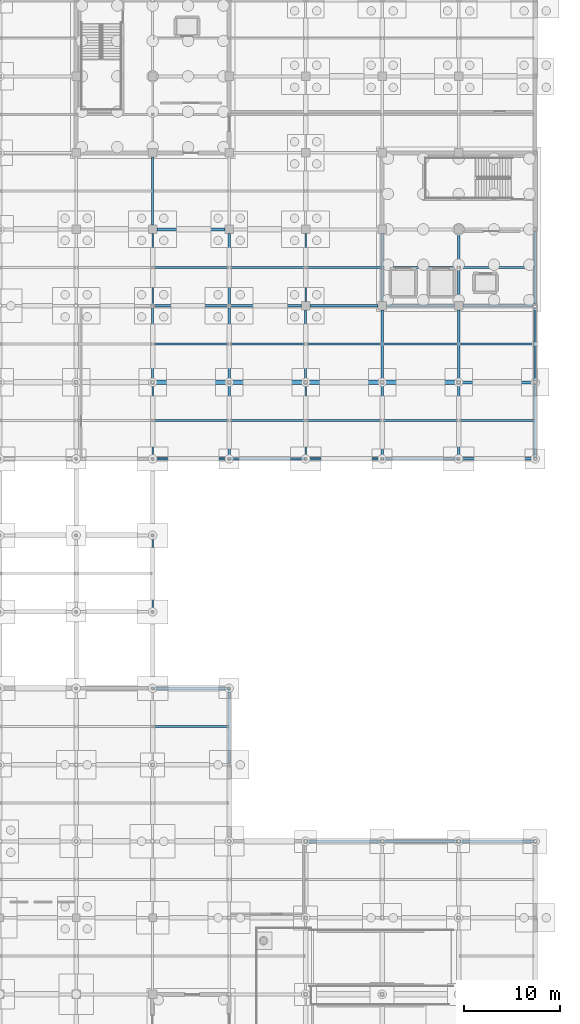
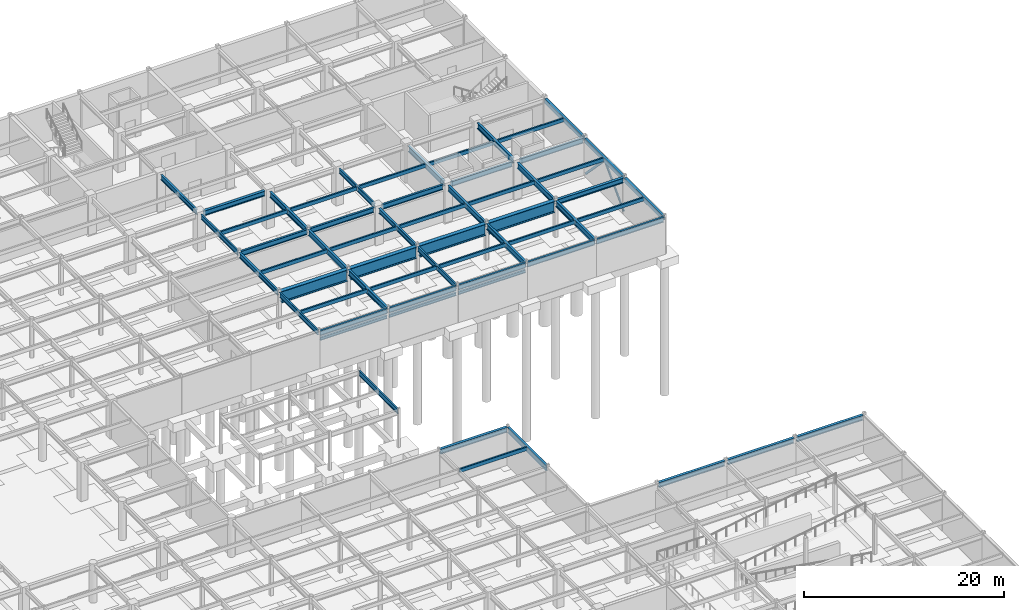
# One storey, part 52 of 105: 60 beams, 2 members.
"""IFC4 building model written with IfcOpenShell, lengths in metres."""

from ifc_helpers import new_model, si_unit, direction, frame, origin, origin_2d, place, context, subcontext, project, spatial, hollow_rectangle, i_section, extrude, material, material_profile, profile_set, type_object, element, save


model = new_model("IFC4")

# Units and contexts
model_context = context("Model", 3, precision=1e-05, world=origin(), true_north=direction((0.0, 1.0)))
body_context = subcontext(model_context, "Body", "Model", "MODEL_VIEW")
ifc_project = project(units=[si_unit("LENGTHUNIT", "METRE"), si_unit("AREAUNIT", "SQUARE_METRE"), si_unit("VOLUMEUNIT", "CUBIC_METRE"), si_unit("PLANEANGLEUNIT", "RADIAN"), si_unit("MASSUNIT", "GRAM", prefix="KILO")], contexts=[model_context])

# Site, building, storey
site_placement = place(None, origin())
site = spatial("IfcSite", under=ifc_project, at=site_placement, CompositionType="ELEMENT")
building_placement = place(site_placement, origin())
building = spatial("IfcBuilding", under=site, at=building_placement, Name="Solmirada Galleria", CompositionType="ELEMENT")
storey_placement = place(building_placement, frame((0.0, 0.0, -4.800048828125)))
storey = spatial("IfcBuildingStorey", under=building, at=storey_placement, Name="B1", CompositionType="ELEMENT", Elevation=-4.800048828125)

# Beams
ifc_material_1 = material(Name="Steel S355 / ASTM A992 Grade 50", Category="steel")
ifc_material_profile_1 = material_profile(ifc_material_1, i_section(OverallWidth=0.323974609375, OverallDepth=0.611083984375, WebThickness=0.0126953125, FlangeThickness=0.01904296875, FilletRadius=0.014892578125, at=origin_2d()), Name="W24X104")
ifc_profile_set_1 = profile_set([ifc_material_profile_1], Name="Steel S355 / ASTM A992 Grade 50")
beam_type_1 = type_object("IfcBeamType", Name="BM-GIRD-W24A", PredefinedType="BEAM", material=ifc_profile_set_1)
beam_1_placement = place(storey_placement, frame((136.126953125, 48.0, 4.274658203125), z_axis=(1.0, 0.0, 0.0), x_axis=(0.0, 1.0, 0.0)))
element("IfcBeam", 1, at=beam_1_placement, inside=storey, type_object=beam_type_1, Name="Primary beam L00 X(136..144, 48)", PredefinedType="BEAM", context=body_context, shape_type="SweptSolid", body=[
    extrude(i_section(OverallWidth=0.323974609375, OverallDepth=0.611083984375, WebThickness=0.0126953125, FlangeThickness=0.01904296875, FilletRadius=0.014892578125, at=origin_2d()), origin(), (0.0, 0.0, 1.0), 7.74609375),
])
beam_2_placement = place(storey_placement, frame((136.449951171875, 96.0, 4.194580078125), z_axis=(1.0, 0.0, 0.0), x_axis=(0.0, 1.0, 0.0)))
element("IfcBeam", 2, at=beam_2_placement, inside=storey, type_object=beam_type_1, Name="Primary beam L00 X(136..144, 96)", PredefinedType="BEAM", context=body_context, shape_type="SweptSolid", body=[
    extrude(i_section(OverallWidth=0.323974609375, OverallDepth=0.611083984375, WebThickness=0.0126953125, FlangeThickness=0.01904296875, FilletRadius=0.014892578125, at=origin_2d()), origin(), (0.0, 0.0, 1.0), 7.10009765625),
])
for number, where, z_axis, x_axis, name in (
    (3, (152.177978515625, 32.0, 4.274658203125), (1.0, 0.0, 0.0), (0.0, 1.0, 0.0), "Primary beam L00 X(152..160, 32)"),
    (4, (160.177978515625, 32.0, 4.274658203125), (1.0, 0.0, 0.0), (0.0, 1.0, 0.0), "Primary beam L00 X(160..168, 32)"),
    (5, (168.177978515625, 32.0, 4.274658203125), (1.0, 0.0, 0.0), (0.0, 1.0, 0.0), "Primary beam L00 X(168..176, 32)"),
    (6, (168.177978515625, 80.0, 4.194580078125), (1.0, 0.0, 0.0), (0.0, 1.0, 0.0), "Primary beam L00 X(168..176, 80)"),
):
    element("IfcBeam", number, at=place(storey_placement, frame(where, z_axis=z_axis, x_axis=x_axis)), inside=storey, type_object=beam_type_1, Name=name, PredefinedType="BEAM", context=body_context, shape_type="SweptSolid", body=[
        extrude(i_section(OverallWidth=0.323974609375, OverallDepth=0.611083984375, WebThickness=0.0126953125, FlangeThickness=0.01904296875, FilletRadius=0.014892578125, at=origin_2d()), origin(), (0.0, 0.0, 1.0), 7.64404296875),
    ])
ifc_material_profile_2 = material_profile(ifc_material_1, i_section(OverallWidth=0.22900390625, OverallDepth=0.612060546875, WebThickness=0.011962890625, FlangeThickness=0.01953125, FilletRadius=0.014892578125, at=origin_2d()), Name="W24X84")
ifc_profile_set_2 = profile_set([ifc_material_profile_2], Name="Steel S355 / ASTM A992 Grade 50")
beam_type_2 = type_object("IfcBeamType", Name="BM-GIRD-W24B", PredefinedType="BEAM", material=ifc_profile_set_2)
beam_3_placement = place(storey_placement, frame((136.126953125, 72.0, 4.194091796875), z_axis=(1.0, 0.0, 0.0), x_axis=(0.0, 1.0, 0.0)))
element("IfcBeam", 7, at=beam_3_placement, inside=storey, type_object=beam_type_2, Name="Primary beam L00 X(136..144, 72)", PredefinedType="BEAM", context=body_context, shape_type="SweptSolid", body=[
    extrude(i_section(OverallWidth=0.22900390625, OverallDepth=0.612060546875, WebThickness=0.011962890625, FlangeThickness=0.01953125, FilletRadius=0.014892578125, at=origin_2d()), origin(), (0.0, 0.0, 1.0), 7.74609375),
])
beam_4_placement = place(storey_placement, frame((136.17041015625, 88.0, 4.194091796875), z_axis=(1.0, 0.0, 0.0), x_axis=(0.0, 1.0, 0.0)))
element("IfcBeam", 8, at=beam_4_placement, inside=storey, type_object=beam_type_2, Name="Primary beam L00 X(136..144, 88)", PredefinedType="BEAM", context=body_context, shape_type="SweptSolid", body=[
    extrude(i_section(OverallWidth=0.22900390625, OverallDepth=0.612060546875, WebThickness=0.011962890625, FlangeThickness=0.01953125, FilletRadius=0.014892578125, at=origin_2d()), origin(), (0.0, 0.0, 1.0), 7.6591796875),
])
beam_5_placement = place(storey_placement, frame((144.126953125, 72.0, 4.194091796875), z_axis=(1.0, 0.0, 0.0), x_axis=(0.0, 1.0, 0.0)))
element("IfcBeam", 9, at=beam_5_placement, inside=storey, type_object=beam_type_2, Name="Primary beam L00 X(144..152, 72)", PredefinedType="BEAM", context=body_context, shape_type="SweptSolid", body=[
    extrude(i_section(OverallWidth=0.22900390625, OverallDepth=0.612060546875, WebThickness=0.011962890625, FlangeThickness=0.01953125, FilletRadius=0.014892578125, at=origin_2d()), origin(), (0.0, 0.0, 1.0), 7.74609375),
])
beam_6_placement = place(storey_placement, frame((144.17041015625, 88.0, 4.194091796875), z_axis=(1.0, 0.0, 0.0), x_axis=(0.0, 1.0, 0.0)))
element("IfcBeam", 10, at=beam_6_placement, inside=storey, type_object=beam_type_2, Name="Primary beam L00 X(144..152, 88)", PredefinedType="BEAM", context=body_context, shape_type="SweptSolid", body=[
    extrude(i_section(OverallWidth=0.22900390625, OverallDepth=0.612060546875, WebThickness=0.011962890625, FlangeThickness=0.01953125, FilletRadius=0.014892578125, at=origin_2d()), origin(), (0.0, 0.0, 1.0), 7.379638671875),
])
beam_7_placement = place(storey_placement, frame((152.126953125, 72.0, 4.194091796875), z_axis=(1.0, 0.0, 0.0), x_axis=(0.0, 1.0, 0.0)))
element("IfcBeam", 11, at=beam_7_placement, inside=storey, type_object=beam_type_2, Name="Primary beam L00 X(152..160, 72)", PredefinedType="BEAM", context=body_context, shape_type="SweptSolid", body=[
    extrude(i_section(OverallWidth=0.22900390625, OverallDepth=0.612060546875, WebThickness=0.011962890625, FlangeThickness=0.01953125, FilletRadius=0.014892578125, at=origin_2d()), origin(), (0.0, 0.0, 1.0), 7.74609375),
])
beam_8_placement = place(storey_placement, frame((152.449951171875, 88.0, 4.194091796875), z_axis=(1.0, 0.0, 0.0), x_axis=(0.0, 1.0, 0.0)))
element("IfcBeam", 12, at=beam_8_placement, inside=storey, type_object=beam_type_2, Name="Primary beam L00 X(152..160, 88)", PredefinedType="BEAM", context=body_context, shape_type="SweptSolid", body=[
    extrude(i_section(OverallWidth=0.22900390625, OverallDepth=0.612060546875, WebThickness=0.011962890625, FlangeThickness=0.01953125, FilletRadius=0.014892578125, at=origin_2d()), origin(), (0.0, 0.0, 1.0), 7.10009765625),
])
beam_9_placement = place(storey_placement, frame((160.126953125, 72.0, 4.194091796875), z_axis=(1.0, 0.0, 0.0), x_axis=(0.0, 1.0, 0.0)))
element("IfcBeam", 13, at=beam_9_placement, inside=storey, type_object=beam_type_2, Name="Primary beam L00 X(160..168, 72)", PredefinedType="BEAM", context=body_context, shape_type="SweptSolid", body=[
    extrude(i_section(OverallWidth=0.22900390625, OverallDepth=0.612060546875, WebThickness=0.011962890625, FlangeThickness=0.01953125, FilletRadius=0.014892578125, at=origin_2d()), origin(), (0.0, 0.0, 1.0), 7.74609375),
])
beam_10_placement = place(storey_placement, frame((160.449951171875, 88.0, 4.194091796875), z_axis=(1.0, 0.0, 0.0), x_axis=(0.0, 1.0, 0.0)))
element("IfcBeam", 14, at=beam_10_placement, inside=storey, type_object=beam_type_2, Name="Primary beam L00 X(160..168, 88)", PredefinedType="BEAM", context=body_context, shape_type="SweptSolid", body=[
    extrude(i_section(OverallWidth=0.22900390625, OverallDepth=0.612060546875, WebThickness=0.011962890625, FlangeThickness=0.01953125, FilletRadius=0.014892578125, at=origin_2d()), origin(), (0.0, 0.0, 1.0), 7.10009765625),
])
beam_11_placement = place(storey_placement, frame((168.126953125, 72.0, 4.194091796875), z_axis=(1.0, 0.0, 0.0), x_axis=(0.0, 1.0, 0.0)))
element("IfcBeam", 15, at=beam_11_placement, inside=storey, type_object=beam_type_2, Name="Primary beam L00 X(168..176, 72)", PredefinedType="BEAM", context=body_context, shape_type="SweptSolid", body=[
    extrude(i_section(OverallWidth=0.22900390625, OverallDepth=0.612060546875, WebThickness=0.011962890625, FlangeThickness=0.01953125, FilletRadius=0.014892578125, at=origin_2d()), origin(), (0.0, 0.0, 1.0), 7.720458984375),
])
beam_12_placement = place(storey_placement, frame((168.449951171875, 88.0, 4.194091796875), z_axis=(1.0, 0.0, 0.0), x_axis=(0.0, 1.0, 0.0)))
element("IfcBeam", 16, at=beam_12_placement, inside=storey, type_object=beam_type_2, Name="Primary beam L00 X(168..176, 88)", PredefinedType="BEAM", context=body_context, shape_type="SweptSolid", body=[
    extrude(i_section(OverallWidth=0.22900390625, OverallDepth=0.612060546875, WebThickness=0.011962890625, FlangeThickness=0.01953125, FilletRadius=0.014892578125, at=origin_2d()), origin(), (0.0, 0.0, 1.0), 7.34716796875),
])
ifc_material_profile_3 = material_profile(ifc_material_1, i_section(OverallWidth=0.22802734375, OverallDepth=0.60302734375, WebThickness=0.010498046875, FlangeThickness=0.014892578125, FilletRadius=0.014892578125, at=origin_2d()), Name="W24X68")
ifc_profile_set_3 = profile_set([ifc_material_profile_3], Name="Steel S355 / ASTM A992 Grade 50")
beam_type_3 = type_object("IfcBeamType", Name="BM-GIRD-W24C", PredefinedType="BEAM", material=ifc_profile_set_3)
beam_13_placement = place(storey_placement, frame((136.0, 80.177978515625, 4.198486328125), z_axis=(0.0, 1.0, 0.0), x_axis=(-1.0, 0.0, 0.0)))
element("IfcBeam", 17, at=beam_13_placement, inside=storey, type_object=beam_type_3, Name="Primary girder L00 Y(136, 80..88)", PredefinedType="BEAM", context=body_context, shape_type="SweptSolid", body=[
    extrude(i_section(OverallWidth=0.22802734375, OverallDepth=0.60302734375, WebThickness=0.010498046875, FlangeThickness=0.014892578125, FilletRadius=0.014892578125, at=origin_2d()), origin(), (0.0, 0.0, 1.0), 7.651611328125),
])
beam_14_placement = place(storey_placement, frame((136.0, 96.449951171875, 4.198486328125), z_axis=(0.0, 1.0, 0.0), x_axis=(-1.0, 0.0, 0.0)))
element("IfcBeam", 18, at=beam_14_placement, inside=storey, type_object=beam_type_3, Name="Primary girder L00 Y(136, 96..104)", PredefinedType="BEAM", context=body_context, shape_type="SweptSolid", body=[
    extrude(i_section(OverallWidth=0.22802734375, OverallDepth=0.60302734375, WebThickness=0.010498046875, FlangeThickness=0.014892578125, FilletRadius=0.014892578125, at=origin_2d()), origin(), (0.0, 0.0, 1.0), 7.10009765625),
])
beam_15_placement = place(storey_placement, frame((152.0, 80.177978515625, 4.198486328125), z_axis=(0.0, 1.0, 0.0), x_axis=(-1.0, 0.0, 0.0)))
element("IfcBeam", 19, at=beam_15_placement, inside=storey, type_object=beam_type_3, Name="Primary girder L00 Y(152, 80..88)", PredefinedType="BEAM", context=body_context, shape_type="SweptSolid", body=[
    extrude(i_section(OverallWidth=0.22802734375, OverallDepth=0.60302734375, WebThickness=0.010498046875, FlangeThickness=0.014892578125, FilletRadius=0.014892578125, at=origin_2d()), origin(), (0.0, 0.0, 1.0), 7.3720703125),
])
ifc_material_profile_4 = material_profile(ifc_material_1, i_section(OverallWidth=0.177978515625, OverallDepth=0.59912109375, WebThickness=0.010009765625, FlangeThickness=0.0126953125, FilletRadius=0.013916015625, at=origin_2d()), Name="W24X55")
ifc_profile_set_4 = profile_set([ifc_material_profile_4], Name="Steel S355 / ASTM A992 Grade 50")
beam_type_4 = type_object("IfcBeamType", Name="BM-GIRD-W24D", PredefinedType="BEAM", material=ifc_profile_set_4)
beam_16_placement = place(storey_placement, frame((136.0, 56.126953125, 4.280517578125), z_axis=(0.0, 1.0, 0.0), x_axis=(-1.0, 0.0, 0.0)))
element("IfcBeam", 20, at=beam_16_placement, inside=storey, type_object=beam_type_4, Name="Primary girder L00 Y(136, 56..64)", PredefinedType="BEAM", context=body_context, shape_type="SweptSolid", body=[
    extrude(i_section(OverallWidth=0.177978515625, OverallDepth=0.59912109375, WebThickness=0.010009765625, FlangeThickness=0.0126953125, FilletRadius=0.013916015625, at=origin_2d()), origin(), (0.0, 0.0, 1.0), 7.74609375),
])
beam_17_placement = place(storey_placement, frame((136.0, 72.126953125, 4.200439453125), z_axis=(0.0, 1.0, 0.0), x_axis=(-1.0, 0.0, 0.0)))
element("IfcBeam", 21, at=beam_17_placement, inside=storey, type_object=beam_type_4, Name="Primary girder L00 Y(136, 72..80)", PredefinedType="BEAM", context=body_context, shape_type="SweptSolid", body=[
    extrude(i_section(OverallWidth=0.177978515625, OverallDepth=0.59912109375, WebThickness=0.010009765625, FlangeThickness=0.0126953125, FilletRadius=0.013916015625, at=origin_2d()), origin(), (0.0, 0.0, 1.0), 7.695068359375),
])
beam_18_placement = place(storey_placement, frame((136.0, 88.17041015625, 4.200439453125), z_axis=(0.0, 1.0, 0.0), x_axis=(-1.0, 0.0, 0.0)))
element("IfcBeam", 22, at=beam_18_placement, inside=storey, type_object=beam_type_4, Name="Primary girder L00 Y(136, 88..96)", PredefinedType="BEAM", context=body_context, shape_type="SweptSolid", body=[
    extrude(i_section(OverallWidth=0.177978515625, OverallDepth=0.59912109375, WebThickness=0.010009765625, FlangeThickness=0.0126953125, FilletRadius=0.013916015625, at=origin_2d()), origin(), (0.0, 0.0, 1.0), 7.379638671875),
])
beam_19_placement = place(storey_placement, frame((152.0, 72.126953125, 4.200439453125), z_axis=(0.0, 1.0, 0.0), x_axis=(-1.0, 0.0, 0.0)))
element("IfcBeam", 23, at=beam_19_placement, inside=storey, type_object=beam_type_4, Name="Primary girder L00 Y(152, 72..80)", PredefinedType="BEAM", context=body_context, shape_type="SweptSolid", body=[
    extrude(i_section(OverallWidth=0.177978515625, OverallDepth=0.59912109375, WebThickness=0.010009765625, FlangeThickness=0.0126953125, FilletRadius=0.013916015625, at=origin_2d()), origin(), (0.0, 0.0, 1.0), 7.695068359375),
])
beam_20_placement = place(storey_placement, frame((152.0, 88.449951171875, 4.200439453125), z_axis=(0.0, 1.0, 0.0), x_axis=(-1.0, 0.0, 0.0)))
element("IfcBeam", 24, at=beam_20_placement, inside=storey, type_object=beam_type_4, Name="Primary girder L00 Y(152, 88..96)", PredefinedType="BEAM", context=body_context, shape_type="SweptSolid", body=[
    extrude(i_section(OverallWidth=0.177978515625, OverallDepth=0.59912109375, WebThickness=0.010009765625, FlangeThickness=0.0126953125, FilletRadius=0.013916015625, at=origin_2d()), origin(), (0.0, 0.0, 1.0), 7.10009765625),
])
ifc_material_profile_5 = material_profile(ifc_material_1, i_section(OverallWidth=0.256103515625, OverallDepth=0.693115234375, WebThickness=0.014404296875, FlangeThickness=0.023681640625, FilletRadius=0.01806640625, at=origin_2d()), Name="W27X114")
ifc_profile_set_5 = profile_set([ifc_material_profile_5], Name="Steel S355 / ASTM A992 Grade 50")
beam_type_5 = type_object("IfcBeamType", Name="BM-GIRD-W27A", PredefinedType="BEAM", material=ifc_profile_set_5)
for number, where, z_axis, x_axis, name in (
    (25, (144.0, 40.177978515625, 4.233642578125), (0.0, 1.0, 0.0), (-1.0, 0.0, 0.0), "Primary girder L00 Y(144, 40..48)"),
    (26, (144.0, 72.126953125, 4.153564453125), (0.0, 1.0, 0.0), (-1.0, 0.0, 0.0), "Primary girder L00 Y(144, 72..80)"),
):
    element("IfcBeam", number, at=place(storey_placement, frame(where, z_axis=z_axis, x_axis=x_axis)), inside=storey, type_object=beam_type_5, Name=name, PredefinedType="BEAM", context=body_context, shape_type="SweptSolid", body=[
        extrude(i_section(OverallWidth=0.256103515625, OverallDepth=0.693115234375, WebThickness=0.014404296875, FlangeThickness=0.023681640625, FilletRadius=0.01806640625, at=origin_2d()), origin(), (0.0, 0.0, 1.0), 7.695068359375),
    ])
beam_21_placement = place(storey_placement, frame((144.0, 80.177978515625, 4.153564453125), z_axis=(0.0, 1.0, 0.0), x_axis=(-1.0, 0.0, 0.0)))
element("IfcBeam", 27, at=beam_21_placement, inside=storey, type_object=beam_type_5, Name="Primary girder L00 Y(144, 80..88)", PredefinedType="BEAM", context=body_context, shape_type="SweptSolid", body=[
    extrude(i_section(OverallWidth=0.256103515625, OverallDepth=0.693115234375, WebThickness=0.014404296875, FlangeThickness=0.023681640625, FilletRadius=0.01806640625, at=origin_2d()), origin(), (0.0, 0.0, 1.0), 7.651611328125),
])
beam_22_placement = place(storey_placement, frame((144.0, 88.17041015625, 4.153564453125), z_axis=(0.0, 1.0, 0.0), x_axis=(-1.0, 0.0, 0.0)))
element("IfcBeam", 28, at=beam_22_placement, inside=storey, type_object=beam_type_5, Name="Primary girder L00 Y(144, 88..96)", PredefinedType="BEAM", context=body_context, shape_type="SweptSolid", body=[
    extrude(i_section(OverallWidth=0.256103515625, OverallDepth=0.693115234375, WebThickness=0.014404296875, FlangeThickness=0.023681640625, FilletRadius=0.01806640625, at=origin_2d()), origin(), (0.0, 0.0, 1.0), 7.379638671875),
])
beam_23_placement = place(storey_placement, frame((168.0, 72.126953125, 4.153564453125), z_axis=(0.0, 1.0, 0.0), x_axis=(-1.0, 0.0, 0.0)))
element("IfcBeam", 29, at=beam_23_placement, inside=storey, type_object=beam_type_5, Name="Primary girder L00 Y(168, 72..80)", PredefinedType="BEAM", context=body_context, shape_type="SweptSolid", body=[
    extrude(i_section(OverallWidth=0.256103515625, OverallDepth=0.693115234375, WebThickness=0.014404296875, FlangeThickness=0.023681640625, FilletRadius=0.01806640625, at=origin_2d()), origin(), (0.0, 0.0, 1.0), 7.695068359375),
])
beam_24_placement = place(storey_placement, frame((168.0, 80.177978515625, 4.153564453125), z_axis=(0.0, 1.0, 0.0), x_axis=(-1.0, 0.0, 0.0)))
element("IfcBeam", 30, at=beam_24_placement, inside=storey, type_object=beam_type_5, Name="Primary girder L00 Y(168, 80..88)", PredefinedType="BEAM", context=body_context, shape_type="SweptSolid", body=[
    extrude(i_section(OverallWidth=0.256103515625, OverallDepth=0.693115234375, WebThickness=0.014404296875, FlangeThickness=0.023681640625, FilletRadius=0.01806640625, at=origin_2d()), origin(), (0.0, 0.0, 1.0), 7.3720703125),
])
beam_25_placement = place(storey_placement, frame((168.0, 88.449951171875, 4.153564453125), z_axis=(0.0, 1.0, 0.0), x_axis=(-1.0, 0.0, 0.0)))
element("IfcBeam", 31, at=beam_25_placement, inside=storey, type_object=beam_type_5, Name="Primary girder L00 Y(168, 88..96)", PredefinedType="BEAM", context=body_context, shape_type="SweptSolid", body=[
    extrude(i_section(OverallWidth=0.256103515625, OverallDepth=0.693115234375, WebThickness=0.014404296875, FlangeThickness=0.023681640625, FilletRadius=0.01806640625, at=origin_2d()), origin(), (0.0, 0.0, 1.0), 7.10009765625),
])
ifc_material_profile_6 = material_profile(ifc_material_1, i_section(OverallWidth=0.25390625, OverallDepth=0.68408203125, WebThickness=0.012451171875, FlangeThickness=0.018798828125, FilletRadius=0.01708984375, at=origin_2d()), Name="W27X94")
ifc_profile_set_6 = profile_set([ifc_material_profile_6], Name="Steel S355 / ASTM A992 Grade 50")
beam_type_6 = type_object("IfcBeamType", Name="BM-GIRD-W27B", PredefinedType="BEAM", material=ifc_profile_set_6)
beam_26_placement = place(storey_placement, frame((160.0, 72.126953125, 4.157958984375), z_axis=(0.0, 1.0, 0.0), x_axis=(-1.0, 0.0, 0.0)))
element("IfcBeam", 32, at=beam_26_placement, inside=storey, type_object=beam_type_6, Name="Primary girder L00 Y(160, 72..80)", PredefinedType="BEAM", context=body_context, shape_type="SweptSolid", body=[
    extrude(i_section(OverallWidth=0.25390625, OverallDepth=0.68408203125, WebThickness=0.012451171875, FlangeThickness=0.018798828125, FilletRadius=0.01708984375, at=origin_2d()), origin(), (0.0, 0.0, 1.0), 7.695068359375),
])
beam_27_placement = place(storey_placement, frame((160.0, 80.177978515625, 4.157958984375), z_axis=(0.0, 1.0, 0.0), x_axis=(-1.0, 0.0, 0.0)))
element("IfcBeam", 33, at=beam_27_placement, inside=storey, type_object=beam_type_6, Name="Primary girder L00 Y(160, 80..88)", PredefinedType="BEAM", context=body_context, shape_type="SweptSolid", body=[
    extrude(i_section(OverallWidth=0.25390625, OverallDepth=0.68408203125, WebThickness=0.012451171875, FlangeThickness=0.018798828125, FilletRadius=0.01708984375, at=origin_2d()), origin(), (0.0, 0.0, 1.0), 7.3720703125),
])
beam_28_placement = place(storey_placement, frame((160.0, 88.449951171875, 4.157958984375), z_axis=(0.0, 1.0, 0.0), x_axis=(-1.0, 0.0, 0.0)))
element("IfcBeam", 34, at=beam_28_placement, inside=storey, type_object=beam_type_6, Name="Primary girder L00 Y(160, 88..96)", PredefinedType="BEAM", context=body_context, shape_type="SweptSolid", body=[
    extrude(i_section(OverallWidth=0.25390625, OverallDepth=0.68408203125, WebThickness=0.012451171875, FlangeThickness=0.018798828125, FilletRadius=0.01708984375, at=origin_2d()), origin(), (0.0, 0.0, 1.0), 7.10009765625),
])
ifc_material_2 = material(Name="Steel S355 / ASTM A500 Grade C", Category="steel")
ifc_material_profile_7 = material_profile(ifc_material_2, hollow_rectangle(XDim=0.202880859375, YDim=0.45703125, WallThickness=0.01171875, InnerFilletRadius=0.01171875, OuterFilletRadius=0.023681640625, at=origin_2d()), Name="HSS18X8X1/2")
ifc_profile_set_7 = profile_set([ifc_material_profile_7], Name="Steel S355 / ASTM A500 Grade C")
beam_type_7 = type_object("IfcBeamType", Name="BM-JST-W16A", PredefinedType="JOIST", material=ifc_profile_set_7)
for number, where, z_axis, x_axis, name in (
    (35, (136.089111328125, 44.0, 4.3515625), (1.0, 0.0, 0.0), (0.0, 1.0, 0.0), "Composite floor joist L00 (136..144, 44.0)"),
    (36, (136.089111328125, 76.0, 4.271484375), (1.0, 0.0, 0.0), (0.0, 1.0, 0.0), "Composite floor joist L00 (136..144, 76.0)"),
):
    element("IfcBeam", number, at=place(storey_placement, frame(where, z_axis=z_axis, x_axis=x_axis)), inside=storey, type_object=beam_type_7, Name=name, PredefinedType="JOIST", context=body_context, shape_type="SweptSolid", body=[
        extrude(hollow_rectangle(XDim=0.202880859375, YDim=0.45703125, WallThickness=0.01171875, InnerFilletRadius=0.01171875, OuterFilletRadius=0.023681640625, at=origin_2d()), origin(), (0.0, 0.0, 1.0), 7.782958984375),
    ])
beam_29_placement = place(storey_placement, frame((136.114013671875, 84.0, 4.271484375), z_axis=(1.0, 0.0, 0.0), x_axis=(0.0, 1.0, 0.0)))
element("IfcBeam", 37, at=beam_29_placement, inside=storey, type_object=beam_type_7, Name="Composite floor joist L00 (136..144, 84.0)", PredefinedType="JOIST", context=body_context, shape_type="SweptSolid", body=[
    extrude(hollow_rectangle(XDim=0.202880859375, YDim=0.45703125, WallThickness=0.01171875, InnerFilletRadius=0.01171875, OuterFilletRadius=0.023681640625, at=origin_2d()), origin(), (0.0, 0.0, 1.0), 7.758056640625),
])
for number, where, z_axis, x_axis, name in (
    (38, (136.089111328125, 92.0, 4.271484375), (1.0, 0.0, 0.0), (0.0, 1.0, 0.0), "Composite floor joist L00 (136..144, 92.0)"),
    (39, (144.1279296875, 76.0, 4.271484375), (1.0, 0.0, 0.0), (0.0, 1.0, 0.0), "Composite floor joist L00 (144..152, 76.0)"),
):
    element("IfcBeam", number, at=place(storey_placement, frame(where, z_axis=z_axis, x_axis=x_axis)), inside=storey, type_object=beam_type_7, Name=name, PredefinedType="JOIST", context=body_context, shape_type="SweptSolid", body=[
        extrude(hollow_rectangle(XDim=0.202880859375, YDim=0.45703125, WallThickness=0.01171875, InnerFilletRadius=0.01171875, OuterFilletRadius=0.023681640625, at=origin_2d()), origin(), (0.0, 0.0, 1.0), 7.782958984375),
    ])
beam_30_placement = place(storey_placement, frame((144.1279296875, 84.0, 4.271484375), z_axis=(1.0, 0.0, 0.0), x_axis=(0.0, 1.0, 0.0)))
element("IfcBeam", 40, at=beam_30_placement, inside=storey, type_object=beam_type_7, Name="Composite floor joist L00 (144..152, 84.0)", PredefinedType="JOIST", context=body_context, shape_type="SweptSolid", body=[
    extrude(hollow_rectangle(XDim=0.202880859375, YDim=0.45703125, WallThickness=0.01171875, InnerFilletRadius=0.01171875, OuterFilletRadius=0.023681640625, at=origin_2d()), origin(), (0.0, 0.0, 1.0), 7.758056640625),
])
beam_31_placement = place(storey_placement, frame((144.1279296875, 92.0, 4.271484375), z_axis=(1.0, 0.0, 0.0), x_axis=(0.0, 1.0, 0.0)))
element("IfcBeam", 41, at=beam_31_placement, inside=storey, type_object=beam_type_7, Name="Composite floor joist L00 (144..152, 92.0)", PredefinedType="JOIST", context=body_context, shape_type="SweptSolid", body=[
    extrude(hollow_rectangle(XDim=0.202880859375, YDim=0.45703125, WallThickness=0.01171875, InnerFilletRadius=0.01171875, OuterFilletRadius=0.023681640625, at=origin_2d()), origin(), (0.0, 0.0, 1.0), 7.782958984375),
])
beam_32_placement = place(storey_placement, frame((152.089111328125, 76.0, 4.271484375), z_axis=(1.0, 0.0, 0.0), x_axis=(0.0, 1.0, 0.0)))
element("IfcBeam", 42, at=beam_32_placement, inside=storey, type_object=beam_type_7, Name="Composite floor joist L00 (152..160, 76.0)", PredefinedType="JOIST", context=body_context, shape_type="SweptSolid", body=[
    extrude(hollow_rectangle(XDim=0.202880859375, YDim=0.45703125, WallThickness=0.01171875, InnerFilletRadius=0.01171875, OuterFilletRadius=0.023681640625, at=origin_2d()), origin(), (0.0, 0.0, 1.0), 7.783935546875),
])
beam_33_placement = place(storey_placement, frame((152.114013671875, 84.0, 4.271484375), z_axis=(1.0, 0.0, 0.0), x_axis=(0.0, 1.0, 0.0)))
element("IfcBeam", 43, at=beam_33_placement, inside=storey, type_object=beam_type_7, Name="Composite floor joist L00 (152..160, 84.0)", PredefinedType="JOIST", context=body_context, shape_type="SweptSolid", body=[
    extrude(hollow_rectangle(XDim=0.202880859375, YDim=0.45703125, WallThickness=0.01171875, InnerFilletRadius=0.01171875, OuterFilletRadius=0.023681640625, at=origin_2d()), origin(), (0.0, 0.0, 1.0), 7.759033203125),
])
beam_34_placement = place(storey_placement, frame((152.089111328125, 92.0, 4.271484375), z_axis=(1.0, 0.0, 0.0), x_axis=(0.0, 1.0, 0.0)))
element("IfcBeam", 44, at=beam_34_placement, inside=storey, type_object=beam_type_7, Name="Composite floor joist L00 (152..160, 92.0)", PredefinedType="JOIST", context=body_context, shape_type="SweptSolid", body=[
    extrude(hollow_rectangle(XDim=0.202880859375, YDim=0.45703125, WallThickness=0.01171875, InnerFilletRadius=0.01171875, OuterFilletRadius=0.023681640625, at=origin_2d()), origin(), (0.0, 0.0, 1.0), 7.783935546875),
])
for number, where, z_axis, x_axis, name in (
    (45, (160.126953125, 76.0, 4.271484375), (1.0, 0.0, 0.0), (0.0, 1.0, 0.0), "Composite floor joist L00 (160..168, 76.0)"),
    (46, (160.126953125, 84.0, 4.271484375), (1.0, 0.0, 0.0), (0.0, 1.0, 0.0), "Composite floor joist L00 (160..168, 84.0)"),
    (47, (160.126953125, 92.0, 4.271484375), (1.0, 0.0, 0.0), (0.0, 1.0, 0.0), "Composite floor joist L00 (160..168, 92.0)"),
):
    element("IfcBeam", number, at=place(storey_placement, frame(where, z_axis=z_axis, x_axis=x_axis)), inside=storey, type_object=beam_type_7, Name=name, PredefinedType="JOIST", context=body_context, shape_type="SweptSolid", body=[
        extrude(hollow_rectangle(XDim=0.202880859375, YDim=0.45703125, WallThickness=0.01171875, InnerFilletRadius=0.01171875, OuterFilletRadius=0.023681640625, at=origin_2d()), origin(), (0.0, 0.0, 1.0), 7.7451171875),
    ])
for number, where, z_axis, x_axis, name in (
    (48, (168.1279296875, 76.0, 4.271484375), (1.0, 0.0, 0.0), (0.0, 1.0, 0.0), "Composite floor joist L00 (168..176, 76.0)"),
    (49, (168.1279296875, 84.0, 4.271484375), (1.0, 0.0, 0.0), (0.0, 1.0, 0.0), "Composite floor joist L00 (168..176, 84.0)"),
    (50, (168.1279296875, 92.0, 4.271484375), (1.0, 0.0, 0.0), (0.0, 1.0, 0.0), "Composite floor joist L00 (168..176, 92.0)"),
):
    element("IfcBeam", number, at=place(storey_placement, frame(where, z_axis=z_axis, x_axis=x_axis)), inside=storey, type_object=beam_type_7, Name=name, PredefinedType="JOIST", context=body_context, shape_type="SweptSolid", body=[
        extrude(hollow_rectangle(XDim=0.202880859375, YDim=0.45703125, WallThickness=0.01171875, InnerFilletRadius=0.01171875, OuterFilletRadius=0.023681640625, at=origin_2d()), origin(), (0.0, 0.0, 1.0), 7.719482421875),
    ])
ifc_material_profile_8 = material_profile(ifc_material_1, i_section(OverallWidth=0.205078125, OverallDepth=0.35400390625, WebThickness=0.009521484375, FlangeThickness=0.016845703125, FilletRadius=0.012939453125, at=origin_2d()), Name="W14X53")
ifc_profile_set_8 = profile_set([ifc_material_profile_8], Name="Steel S355 / ASTM A992 Grade 50")
beam_type_8 = type_object("IfcBeamType", Name="BM-LINT-W14", PredefinedType="LINTEL", material=ifc_profile_set_8)
for number, where, z_axis, x_axis, name in (
    (51, (136.126953125, 72.0, 3.47314453125), (1.0, 0.0, 0.0), (0.0, 1.0, 0.0), "Portal lintel beam L00 X=136..144"),
    (52, (144.126953125, 72.0, 3.47314453125), (1.0, 0.0, 0.0), (0.0, 1.0, 0.0), "Portal lintel beam L00 X=144..152"),
    (53, (152.126953125, 72.0, 3.47314453125), (1.0, 0.0, 0.0), (0.0, 1.0, 0.0), "Portal lintel beam L00 X=152..160"),
):
    element("IfcBeam", number, at=place(storey_placement, frame(where, z_axis=z_axis, x_axis=x_axis)), inside=storey, type_object=beam_type_8, Name=name, PredefinedType="LINTEL", context=body_context, shape_type="SweptSolid", body=[
        extrude(i_section(OverallWidth=0.205078125, OverallDepth=0.35400390625, WebThickness=0.009521484375, FlangeThickness=0.016845703125, FilletRadius=0.012939453125, at=origin_2d()), origin(), (0.0, 0.0, 1.0), 7.74609375),
    ])
ifc_material_3 = material(Name="Steel S355 / ASTM A572 Grade 50", Category="steel")
ifc_material_profile_9 = material_profile(ifc_material_3, i_section(OverallWidth=0.449951171875, OverallDepth=1.39990234375, WebThickness=0.02392578125, FlangeThickness=0.044921875, FilletRadius=0.01806640625, at=origin_2d()), Name="PG1400X450")
ifc_profile_set_9 = profile_set([ifc_material_profile_9], Name="Steel S355 / ASTM A572 Grade 50")
beam_type_9 = type_object("IfcBeamType", Name="BM-PG1400", PredefinedType="USERDEFINED", material=ifc_profile_set_9)
for number, where, z_axis, x_axis, name in (
    (54, (136.177978515625, 80.0, 3.800048828125), (1.0, 0.0, 0.0), (0.0, 1.0, 0.0), "Loading dock transfer girder L00 X(136..144, 80)"),
    (55, (144.177978515625, 80.0, 3.800048828125), (1.0, 0.0, 0.0), (0.0, 1.0, 0.0), "Loading dock transfer girder L00 X(144..152, 80)"),
    (56, (152.177978515625, 80.0, 3.800048828125), (1.0, 0.0, 0.0), (0.0, 1.0, 0.0), "Loading dock transfer girder L00 X(152..160, 80)"),
    (57, (160.177978515625, 80.0, 3.800048828125), (1.0, 0.0, 0.0), (0.0, 1.0, 0.0), "Loading dock transfer girder L00 X(160..168, 80)"),
):
    element("IfcBeam", number, at=place(storey_placement, frame(where, z_axis=z_axis, x_axis=x_axis)), inside=storey, type_object=beam_type_9, Name=name, ObjectType="TRANSFER_GIRDER", PredefinedType="USERDEFINED", context=body_context, shape_type="SweptSolid", body=[
        extrude(i_section(OverallWidth=0.449951171875, OverallDepth=1.39990234375, WebThickness=0.02392578125, FlangeThickness=0.044921875, FilletRadius=0.01806640625, at=origin_2d()), origin(), (0.0, 0.0, 1.0), 7.64404296875),
    ])
ifc_material_profile_10 = material_profile(ifc_material_2, hollow_rectangle(XDim=0.304931640625, YDim=0.55908203125, WallThickness=0.01171875, InnerFilletRadius=0.01171875, OuterFilletRadius=0.023681640625, at=origin_2d()), Name="HSS22X12X1/2")
ifc_profile_set_10 = profile_set([ifc_material_profile_10], Name="Steel S355 / ASTM A500 Grade C")
beam_type_10 = type_object("IfcBeamType", Name="BM-SPAND-W21", PredefinedType="SPANDREL", material=ifc_profile_set_10)
beam_35_placement = place(storey_placement, frame((176.0, 72.152587890625, 4.220458984375), z_axis=(0.0, 1.0, 0.0), x_axis=(-1.0, 0.0, 0.0)))
element("IfcBeam", 58, at=beam_35_placement, inside=storey, type_object=beam_type_10, Name="Primary girder L00 Y(176, 72..80)", PredefinedType="SPANDREL", context=body_context, shape_type="SweptSolid", body=[
    extrude(hollow_rectangle(XDim=0.304931640625, YDim=0.55908203125, WallThickness=0.01171875, InnerFilletRadius=0.01171875, OuterFilletRadius=0.023681640625, at=origin_2d()), origin(), (0.0, 0.0, 1.0), 7.66943359375),
])
beam_36_placement = place(storey_placement, frame((176.0, 80.177978515625, 4.220458984375), z_axis=(0.0, 1.0, 0.0), x_axis=(-1.0, 0.0, 0.0)))
element("IfcBeam", 59, at=beam_36_placement, inside=storey, type_object=beam_type_10, Name="Primary girder L00 Y(176, 80..88)", PredefinedType="SPANDREL", context=body_context, shape_type="SweptSolid", body=[
    extrude(hollow_rectangle(XDim=0.304931640625, YDim=0.55908203125, WallThickness=0.01171875, InnerFilletRadius=0.01171875, OuterFilletRadius=0.023681640625, at=origin_2d()), origin(), (0.0, 0.0, 1.0), 7.619140625),
])
beam_37_placement = place(storey_placement, frame((176.0, 88.202880859375, 4.220458984375), z_axis=(0.0, 1.0, 0.0), x_axis=(-1.0, 0.0, 0.0)))
element("IfcBeam", 60, at=beam_37_placement, inside=storey, type_object=beam_type_10, Name="Primary girder L00 Y(176, 88..96)", PredefinedType="SPANDREL", context=body_context, shape_type="SweptSolid", body=[
    extrude(hollow_rectangle(XDim=0.304931640625, YDim=0.55908203125, WallThickness=0.01171875, InnerFilletRadius=0.01171875, OuterFilletRadius=0.023681640625, at=origin_2d()), origin(), (0.0, 0.0, 1.0), 7.59423828125),
])

# Members
ifc_material_profile_11 = material_profile(ifc_material_2, hollow_rectangle(XDim=0.152099609375, YDim=0.25390625, WallThickness=0.0087890625, InnerFilletRadius=0.0087890625, OuterFilletRadius=0.017822265625, at=origin_2d()), Name="HSS10X6X3/8")
ifc_profile_set_11 = profile_set([ifc_material_profile_11], Name="Steel S355 / ASTM A500 Grade C")
member_type = type_object("IfcMemberType", Name="MEM-CBF-EXT", PredefinedType="BRACE", material=ifc_profile_set_11)
member_1_placement = place(storey_placement, frame((176.0, 80.177978515625, 0.14013671875), z_axis=(0.0, 0.69628405272, 0.717766339367), x_axis=(-1.0, 0.0, 0.0)))
element("IfcMember", 61, at=member_1_placement, inside=storey, type_object=member_type, Name="Braced frame diagonal CBF-E1 B1 A", PredefinedType="BRACE", context=body_context, shape_type="SweptSolid", body=[
    extrude(hollow_rectangle(XDim=0.152099609375, YDim=0.25390625, WallThickness=0.0087890625, InnerFilletRadius=0.0087890625, OuterFilletRadius=0.017822265625, at=origin_2d()), origin(), (0.0, 0.0, 1.0), 5.4892578125),
])
member_2_placement = place(storey_placement, frame((176.0, 87.797119140625, 0.14013671875), z_axis=(0.0, -0.69393572357, 0.720036951519), x_axis=(1.0, 0.0, 0.0)))
element("IfcMember", 62, at=member_2_placement, inside=storey, type_object=member_type, Name="Braced frame diagonal CBF-E1 B1 B", PredefinedType="BRACE", context=body_context, shape_type="SweptSolid", body=[
    extrude(hollow_rectangle(XDim=0.152099609375, YDim=0.25390625, WallThickness=0.0087890625, InnerFilletRadius=0.0087890625, OuterFilletRadius=0.017822265625, at=origin_2d()), origin(), (0.0, 0.0, 1.0), 5.471923828125),
])

save(model, "model.ifc")
